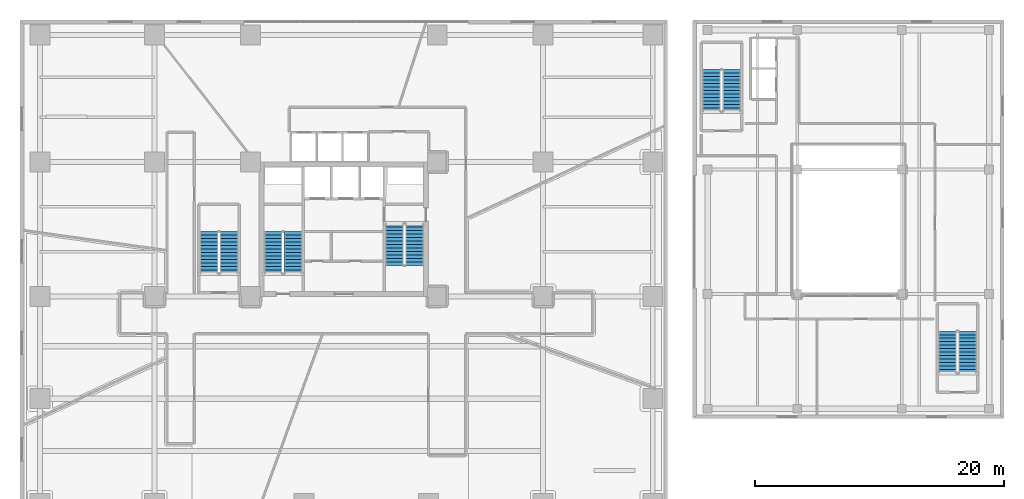
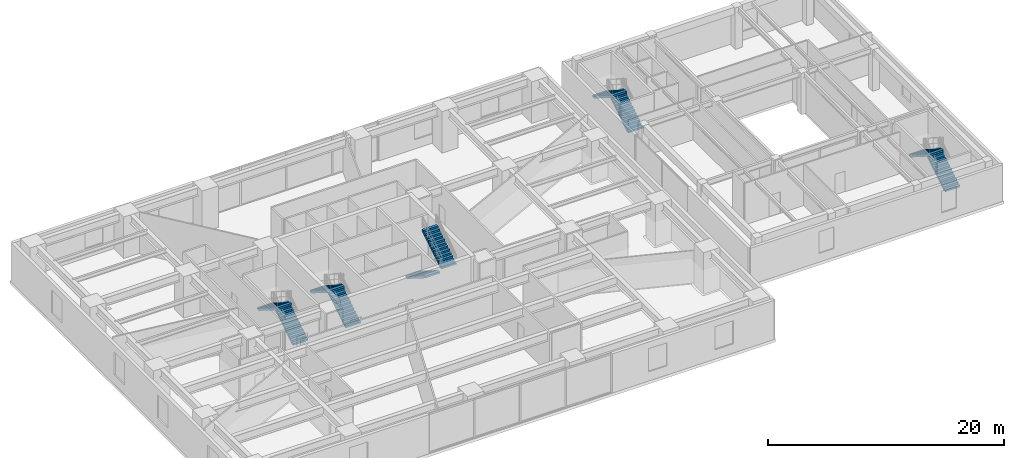
# One storey, part 22 of 25: 10 stair flights, 5 elements without a shape of their own.
"""IFC4 building model written with IfcOpenShell, lengths in metres."""

from ifc_helpers import new_model, si_unit, direction, frame, origin, place, context, subcontext, project, spatial, polyline, outline, extrude, material, layer, layer_set, type_object, element, aggregate, save


model = new_model("IFC4")

# Units and contexts
model_context = context("Model", 3, precision=1e-05, world=origin(), true_north=direction((0.0, 1.0)))
body_context = subcontext(model_context, "Body", "Model", "MODEL_VIEW")
ifc_project = project(units=[si_unit("LENGTHUNIT", "METRE"), si_unit("AREAUNIT", "SQUARE_METRE"), si_unit("VOLUMEUNIT", "CUBIC_METRE"), si_unit("PLANEANGLEUNIT", "RADIAN"), si_unit("MASSUNIT", "GRAM", prefix="KILO")], contexts=[model_context])

# Site, building, storey
site_placement = place(None, origin())
site = spatial("IfcSite", under=ifc_project, at=site_placement, CompositionType="ELEMENT")
building_placement = place(site_placement, origin())
building = spatial("IfcBuilding", under=site, at=building_placement, Name="Talar Marvaseh", CompositionType="ELEMENT")
storey_placement = place(building_placement, frame((0.0, 0.0, 5.199951171875)))
storey = spatial("IfcBuildingStorey", under=building, at=storey_placement, Name="L01", CompositionType="ELEMENT", Elevation=5.199951171875)

# Stair, stair flights
ifc_material = material(Name="Concrete C40/50", Category="concrete")
stair_type = type_object("IfcStairType", Name="Reinforced Concrete Half-Turn Exit Stair Type A", PredefinedType="HALF_TURN_STAIR", material=ifc_material)
stair_1_placement = place(storey_placement, origin())
stair_1 = element("IfcStair", 1, at=stair_1_placement, inside=storey, type_object=stair_type, Name="L01 Tower West Core Exit Stair", PredefinedType="HALF_TURN_STAIR")
ifc_layer = layer(ifc_material, 0.18505859375)
ifc_layer_set = layer_set([ifc_layer], Name="Concrete C40/50")
stair_flight_type = type_object("IfcStairFlightType", Name="Reinforced Concrete Heavy Podium Stair Flight 185", PredefinedType="STRAIGHT", material=ifc_layer_set)
stair_flight_1_placement = place(storey_placement, frame((21.93505859375, 27.64990234375, 0.0), z_axis=(0.0, 0.0, 1.0), x_axis=(0.0, 1.0, 0.0)))
stair_flight_1 = element("IfcStairFlight", 2, at=stair_flight_1_placement, type_object=stair_flight_type, Name="ST-1 flight 1", NumberOfRisers=13, NumberOfTreads=12, PredefinedType="STRAIGHT", RiserHeight=0.176923077, TreadLength=0.28, context=body_context, shape_type="SweptSolid", body=[
    extrude(outline(polyline([(0.0, 0.0), (0.0, 0.177001953125), (0.280029296875, 0.177001953125), (0.280029296875, 0.353759765625), (0.56005859375, 0.353759765625), (0.56005859375, 0.53076171875), (0.840087890625, 0.53076171875), (0.840087890625, 0.707763671875), (1.1201171875, 0.707763671875), (1.1201171875, 0.884521484375), (1.39990234375, 0.884521484375), (1.39990234375, 1.0615234375), (1.679931640625, 1.0615234375), (1.679931640625, 1.238525390625), (1.9599609375, 1.238525390625), (1.9599609375, 1.415283203125), (2.239990234375, 1.415283203125), (2.239990234375, 1.59228515625), (2.52001953125, 1.59228515625), (2.52001953125, 1.769287109375), (2.800048828125, 1.769287109375), (2.800048828125, 1.946044921875), (3.080078125, 1.946044921875), (3.080078125, 2.123046875), (3.360107421875, 2.123046875), (3.360107421875, 2.300048828125), (3.360107421875, 1.933837890625), (0.29931640625, 0.0), (0.0, 0.0)])), frame((0.0, 0.72509765625, 0.0), z_axis=(0.0, -1.0, 0.0), x_axis=(1.0, 0.0, 0.0)), (0.0, 0.0, 1.0), 1.449951171875),
])
stair_flight_2_placement = place(storey_placement, frame((20.324951171875, 31.010009765625, 2.300048828125), z_axis=(0.0, 0.0, 1.0), x_axis=(0.0, -1.0, 0.0)))
stair_flight_2 = element("IfcStairFlight", 3, at=stair_flight_2_placement, type_object=stair_flight_type, Name="ST-1 flight 2", NumberOfRisers=13, NumberOfTreads=12, PredefinedType="STRAIGHT", RiserHeight=0.176923077, TreadLength=0.28, context=body_context, shape_type="SweptSolid", body=[
    extrude(outline(polyline([(0.0, 0.0), (0.0, 0.177001953125), (0.280029296875, 0.177001953125), (0.280029296875, 0.353759765625), (0.56005859375, 0.353759765625), (0.56005859375, 0.53076171875), (0.840087890625, 0.53076171875), (0.840087890625, 0.707763671875), (1.1201171875, 0.707763671875), (1.1201171875, 0.884521484375), (1.39990234375, 0.884521484375), (1.39990234375, 1.0615234375), (1.679931640625, 1.0615234375), (1.679931640625, 1.238525390625), (1.9599609375, 1.238525390625), (1.9599609375, 1.415283203125), (2.239990234375, 1.415283203125), (2.239990234375, 1.59228515625), (2.52001953125, 1.59228515625), (2.52001953125, 1.769287109375), (2.800048828125, 1.769287109375), (2.800048828125, 1.946044921875), (3.080078125, 1.946044921875), (3.080078125, 2.123046875), (3.360107421875, 2.123046875), (3.360107421875, 2.300048828125), (3.360107421875, 1.933837890625), (0.29931640625, 0.0), (0.0, 0.0)])), frame((0.0, 0.72509765625, 0.0), z_axis=(0.0, -1.0, 0.0), x_axis=(1.0, 0.0, 0.0)), (0.0, 0.0, 1.0), 1.449951171875),
])
aggregate(stair_1, [stair_flight_1, stair_flight_2])

stair_2_placement = place(storey_placement, origin())
stair_2 = element("IfcStair", 4, at=stair_2_placement, inside=storey, type_object=stair_type, Name="L01 Tower East Core Exit Stair", PredefinedType="HALF_TURN_STAIR")
stair_flight_3_placement = place(storey_placement, frame((30.06494140625, 31.64990234375, 0.0), z_axis=(0.0, 0.0, 1.0), x_axis=(0.0, -1.0, 0.0)))
stair_flight_3 = element("IfcStairFlight", 5, at=stair_flight_3_placement, type_object=stair_flight_type, Name="ST-2 flight 1", NumberOfRisers=13, NumberOfTreads=12, PredefinedType="STRAIGHT", RiserHeight=0.176923077, TreadLength=0.28, context=body_context, shape_type="SweptSolid", body=[
    extrude(outline(polyline([(0.0, 0.0), (0.0, 0.177001953125), (0.280029296875, 0.177001953125), (0.280029296875, 0.353759765625), (0.56005859375, 0.353759765625), (0.56005859375, 0.53076171875), (0.840087890625, 0.53076171875), (0.840087890625, 0.707763671875), (1.1201171875, 0.707763671875), (1.1201171875, 0.884521484375), (1.39990234375, 0.884521484375), (1.39990234375, 1.0615234375), (1.679931640625, 1.0615234375), (1.679931640625, 1.238525390625), (1.9599609375, 1.238525390625), (1.9599609375, 1.415283203125), (2.239990234375, 1.415283203125), (2.239990234375, 1.59228515625), (2.52001953125, 1.59228515625), (2.52001953125, 1.769287109375), (2.800048828125, 1.769287109375), (2.800048828125, 1.946044921875), (3.080078125, 1.946044921875), (3.080078125, 2.123046875), (3.360107421875, 2.123046875), (3.360107421875, 2.300048828125), (3.360107421875, 1.933837890625), (0.29931640625, 0.0), (0.0, 0.0)])), frame((0.0, 0.72509765625, 0.0), z_axis=(0.0, -1.0, 0.0), x_axis=(1.0, 0.0, 0.0)), (0.0, 0.0, 1.0), 1.449951171875),
])
stair_flight_4_placement = place(storey_placement, frame((31.675048828125, 28.2900390625, 2.300048828125), z_axis=(0.0, 0.0, 1.0), x_axis=(0.0, 1.0, 0.0)))
stair_flight_4 = element("IfcStairFlight", 6, at=stair_flight_4_placement, type_object=stair_flight_type, Name="ST-2 flight 2", NumberOfRisers=13, NumberOfTreads=12, PredefinedType="STRAIGHT", RiserHeight=0.176923077, TreadLength=0.28, context=body_context, shape_type="SweptSolid", body=[
    extrude(outline(polyline([(0.0, 0.0), (0.0, 0.177001953125), (0.280029296875, 0.177001953125), (0.280029296875, 0.353759765625), (0.56005859375, 0.353759765625), (0.56005859375, 0.53076171875), (0.840087890625, 0.53076171875), (0.840087890625, 0.707763671875), (1.1201171875, 0.707763671875), (1.1201171875, 0.884521484375), (1.39990234375, 0.884521484375), (1.39990234375, 1.0615234375), (1.679931640625, 1.0615234375), (1.679931640625, 1.238525390625), (1.9599609375, 1.238525390625), (1.9599609375, 1.415283203125), (2.239990234375, 1.415283203125), (2.239990234375, 1.59228515625), (2.52001953125, 1.59228515625), (2.52001953125, 1.769287109375), (2.800048828125, 1.769287109375), (2.800048828125, 1.946044921875), (3.080078125, 1.946044921875), (3.080078125, 2.123046875), (3.360107421875, 2.123046875), (3.360107421875, 2.300048828125), (3.360107421875, 1.933837890625), (0.29931640625, 0.0), (0.0, 0.0)])), frame((0.0, 0.72509765625, 0.0), z_axis=(0.0, -1.0, 0.0), x_axis=(1.0, 0.0, 0.0)), (0.0, 0.0, 1.0), 1.449951171875),
])
aggregate(stair_2, [stair_flight_3, stair_flight_4])

stair_3_placement = place(storey_placement, origin())
stair_3 = element("IfcStair", 7, at=stair_3_placement, inside=storey, type_object=stair_type, Name="L01 Museum & Podium Auxiliary Exit Stair", PredefinedType="HALF_TURN_STAIR")
stair_flight_5_placement = place(storey_placement, frame((16.77490234375, 27.64990234375, 0.0), z_axis=(0.0, 0.0, 1.0), x_axis=(0.0, 1.0, 0.0)))
stair_flight_5 = element("IfcStairFlight", 8, at=stair_flight_5_placement, type_object=stair_flight_type, Name="ST-3 flight 1", NumberOfRisers=13, NumberOfTreads=12, PredefinedType="STRAIGHT", RiserHeight=0.176923077, TreadLength=0.28, context=body_context, shape_type="SweptSolid", body=[
    extrude(outline(polyline([(0.0, 0.0), (0.0, 0.177001953125), (0.280029296875, 0.177001953125), (0.280029296875, 0.353759765625), (0.56005859375, 0.353759765625), (0.56005859375, 0.53076171875), (0.840087890625, 0.53076171875), (0.840087890625, 0.707763671875), (1.1201171875, 0.707763671875), (1.1201171875, 0.884521484375), (1.39990234375, 0.884521484375), (1.39990234375, 1.0615234375), (1.679931640625, 1.0615234375), (1.679931640625, 1.238525390625), (1.9599609375, 1.238525390625), (1.9599609375, 1.415283203125), (2.239990234375, 1.415283203125), (2.239990234375, 1.59228515625), (2.52001953125, 1.59228515625), (2.52001953125, 1.769287109375), (2.800048828125, 1.769287109375), (2.800048828125, 1.946044921875), (3.080078125, 1.946044921875), (3.080078125, 2.123046875), (3.360107421875, 2.123046875), (3.360107421875, 2.300048828125), (3.360107421875, 1.933837890625), (0.29931640625, 0.0), (0.0, 0.0)])), frame((0.0, 0.72509765625, 0.0), z_axis=(0.0, -1.0, 0.0), x_axis=(1.0, 0.0, 0.0)), (0.0, 0.0, 1.0), 1.449951171875),
])
stair_flight_6_placement = place(storey_placement, frame((15.1650390625, 31.010009765625, 2.300048828125), z_axis=(0.0, 0.0, 1.0), x_axis=(0.0, -1.0, 0.0)))
stair_flight_6 = element("IfcStairFlight", 9, at=stair_flight_6_placement, type_object=stair_flight_type, Name="ST-3 flight 2", NumberOfRisers=13, NumberOfTreads=12, PredefinedType="STRAIGHT", RiserHeight=0.176923077, TreadLength=0.28, context=body_context, shape_type="SweptSolid", body=[
    extrude(outline(polyline([(0.0, 0.0), (0.0, 0.177001953125), (0.280029296875, 0.177001953125), (0.280029296875, 0.353759765625), (0.56005859375, 0.353759765625), (0.56005859375, 0.53076171875), (0.840087890625, 0.53076171875), (0.840087890625, 0.707763671875), (1.1201171875, 0.707763671875), (1.1201171875, 0.884521484375), (1.39990234375, 0.884521484375), (1.39990234375, 1.0615234375), (1.679931640625, 1.0615234375), (1.679931640625, 1.238525390625), (1.9599609375, 1.238525390625), (1.9599609375, 1.415283203125), (2.239990234375, 1.415283203125), (2.239990234375, 1.59228515625), (2.52001953125, 1.59228515625), (2.52001953125, 1.769287109375), (2.800048828125, 1.769287109375), (2.800048828125, 1.946044921875), (3.080078125, 1.946044921875), (3.080078125, 2.123046875), (3.360107421875, 2.123046875), (3.360107421875, 2.300048828125), (3.360107421875, 1.933837890625), (0.29931640625, 0.0), (0.0, 0.0)])), frame((0.0, 0.72509765625, 0.0), z_axis=(0.0, -1.0, 0.0), x_axis=(1.0, 0.0, 0.0)), (0.0, 0.0, 1.0), 1.449951171875),
])
aggregate(stair_3, [stair_flight_5, stair_flight_6])

stair_4_placement = place(storey_placement, origin())
stair_4 = element("IfcStair", 10, at=stair_4_placement, inside=storey, type_object=stair_type, Name="L01 Market Hall North-West Exit Stair", PredefinedType="HALF_TURN_STAIR")
stair_flight_7_placement = place(storey_placement, frame((57.135009765625, 40.64990234375, 0.0), z_axis=(0.0, 0.0, 1.0), x_axis=(0.0, 1.0, 0.0)))
stair_flight_7 = element("IfcStairFlight", 11, at=stair_flight_7_placement, type_object=stair_flight_type, Name="MH-ST1 flight 1", NumberOfRisers=13, NumberOfTreads=12, PredefinedType="STRAIGHT", RiserHeight=0.176923077, TreadLength=0.28, context=body_context, shape_type="SweptSolid", body=[
    extrude(outline(polyline([(0.0, 0.0), (0.0, 0.177001953125), (0.280029296875, 0.177001953125), (0.280029296875, 0.353759765625), (0.56005859375, 0.353759765625), (0.56005859375, 0.53076171875), (0.840087890625, 0.53076171875), (0.840087890625, 0.707763671875), (1.1201171875, 0.707763671875), (1.1201171875, 0.884521484375), (1.39990234375, 0.884521484375), (1.39990234375, 1.0615234375), (1.679931640625, 1.0615234375), (1.679931640625, 1.238525390625), (1.9599609375, 1.238525390625), (1.9599609375, 1.415283203125), (2.239990234375, 1.415283203125), (2.239990234375, 1.59228515625), (2.52001953125, 1.59228515625), (2.52001953125, 1.769287109375), (2.800048828125, 1.769287109375), (2.800048828125, 1.946044921875), (3.080078125, 1.946044921875), (3.080078125, 2.123046875), (3.360107421875, 2.123046875), (3.360107421875, 2.300048828125), (3.360107421875, 1.933837890625), (0.29931640625, 0.0), (0.0, 0.0)])), frame((0.0, 0.72509765625, 0.0), z_axis=(0.0, -1.0, 0.0), x_axis=(1.0, 0.0, 0.0)), (0.0, 0.0, 1.0), 1.449951171875),
])
stair_flight_8_placement = place(storey_placement, frame((55.52490234375, 44.010009765625, 2.300048828125), z_axis=(0.0, 0.0, 1.0), x_axis=(0.0, -1.0, 0.0)))
stair_flight_8 = element("IfcStairFlight", 12, at=stair_flight_8_placement, type_object=stair_flight_type, Name="MH-ST1 flight 2", NumberOfRisers=13, NumberOfTreads=12, PredefinedType="STRAIGHT", RiserHeight=0.176923077, TreadLength=0.28, context=body_context, shape_type="SweptSolid", body=[
    extrude(outline(polyline([(0.0, 0.0), (0.0, 0.177001953125), (0.280029296875, 0.177001953125), (0.280029296875, 0.353759765625), (0.56005859375, 0.353759765625), (0.56005859375, 0.53076171875), (0.840087890625, 0.53076171875), (0.840087890625, 0.707763671875), (1.1201171875, 0.707763671875), (1.1201171875, 0.884521484375), (1.39990234375, 0.884521484375), (1.39990234375, 1.0615234375), (1.679931640625, 1.0615234375), (1.679931640625, 1.238525390625), (1.9599609375, 1.238525390625), (1.9599609375, 1.415283203125), (2.239990234375, 1.415283203125), (2.239990234375, 1.59228515625), (2.52001953125, 1.59228515625), (2.52001953125, 1.769287109375), (2.800048828125, 1.769287109375), (2.800048828125, 1.946044921875), (3.080078125, 1.946044921875), (3.080078125, 2.123046875), (3.360107421875, 2.123046875), (3.360107421875, 2.300048828125), (3.360107421875, 1.933837890625), (0.29931640625, 0.0), (0.0, 0.0)])), frame((0.0, 0.72509765625, 0.0), z_axis=(0.0, -1.0, 0.0), x_axis=(1.0, 0.0, 0.0)), (0.0, 0.0, 1.0), 1.449951171875),
])
aggregate(stair_4, [stair_flight_7, stair_flight_8])

stair_5_placement = place(storey_placement, origin())
stair_5 = element("IfcStair", 13, at=stair_5_placement, inside=storey, type_object=stair_type, Name="L01 Market Hall South-East Exit Stair", PredefinedType="HALF_TURN_STAIR")
stair_flight_9_placement = place(storey_placement, frame((76.074951171875, 19.64990234375, 0.0), z_axis=(0.0, 0.0, 1.0), x_axis=(0.0, 1.0, 0.0)))
stair_flight_9 = element("IfcStairFlight", 14, at=stair_flight_9_placement, type_object=stair_flight_type, Name="MH-ST2 flight 1", NumberOfRisers=13, NumberOfTreads=12, PredefinedType="STRAIGHT", RiserHeight=0.176923077, TreadLength=0.28, context=body_context, shape_type="SweptSolid", body=[
    extrude(outline(polyline([(0.0, 0.0), (0.0, 0.177001953125), (0.280029296875, 0.177001953125), (0.280029296875, 0.353759765625), (0.56005859375, 0.353759765625), (0.56005859375, 0.53076171875), (0.840087890625, 0.53076171875), (0.840087890625, 0.707763671875), (1.1201171875, 0.707763671875), (1.1201171875, 0.884521484375), (1.39990234375, 0.884521484375), (1.39990234375, 1.0615234375), (1.679931640625, 1.0615234375), (1.679931640625, 1.238525390625), (1.9599609375, 1.238525390625), (1.9599609375, 1.415283203125), (2.239990234375, 1.415283203125), (2.239990234375, 1.59228515625), (2.52001953125, 1.59228515625), (2.52001953125, 1.769287109375), (2.800048828125, 1.769287109375), (2.800048828125, 1.946044921875), (3.080078125, 1.946044921875), (3.080078125, 2.123046875), (3.360107421875, 2.123046875), (3.360107421875, 2.300048828125), (3.360107421875, 1.933837890625), (0.29931640625, 0.0), (0.0, 0.0)])), frame((0.0, 0.72509765625, 0.0), z_axis=(0.0, -1.0, 0.0), x_axis=(1.0, 0.0, 0.0)), (0.0, 0.0, 1.0), 1.449951171875),
])
stair_flight_10_placement = place(storey_placement, frame((74.465087890625, 23.010009765625, 2.300048828125), z_axis=(0.0, 0.0, 1.0), x_axis=(0.0, -1.0, 0.0)))
stair_flight_10 = element("IfcStairFlight", 15, at=stair_flight_10_placement, type_object=stair_flight_type, Name="MH-ST2 flight 2", NumberOfRisers=13, NumberOfTreads=12, PredefinedType="STRAIGHT", RiserHeight=0.176923077, TreadLength=0.28, context=body_context, shape_type="SweptSolid", body=[
    extrude(outline(polyline([(0.0, 0.0), (0.0, 0.177001953125), (0.280029296875, 0.177001953125), (0.280029296875, 0.353759765625), (0.56005859375, 0.353759765625), (0.56005859375, 0.53076171875), (0.840087890625, 0.53076171875), (0.840087890625, 0.707763671875), (1.1201171875, 0.707763671875), (1.1201171875, 0.884521484375), (1.39990234375, 0.884521484375), (1.39990234375, 1.0615234375), (1.679931640625, 1.0615234375), (1.679931640625, 1.238525390625), (1.9599609375, 1.238525390625), (1.9599609375, 1.415283203125), (2.239990234375, 1.415283203125), (2.239990234375, 1.59228515625), (2.52001953125, 1.59228515625), (2.52001953125, 1.769287109375), (2.800048828125, 1.769287109375), (2.800048828125, 1.946044921875), (3.080078125, 1.946044921875), (3.080078125, 2.123046875), (3.360107421875, 2.123046875), (3.360107421875, 2.300048828125), (3.360107421875, 1.933837890625), (0.29931640625, 0.0), (0.0, 0.0)])), frame((0.0, 0.72509765625, 0.0), z_axis=(0.0, -1.0, 0.0), x_axis=(1.0, 0.0, 0.0)), (0.0, 0.0, 1.0), 1.449951171875),
])
aggregate(stair_5, [stair_flight_9, stair_flight_10])

save(model, "model.ifc")
